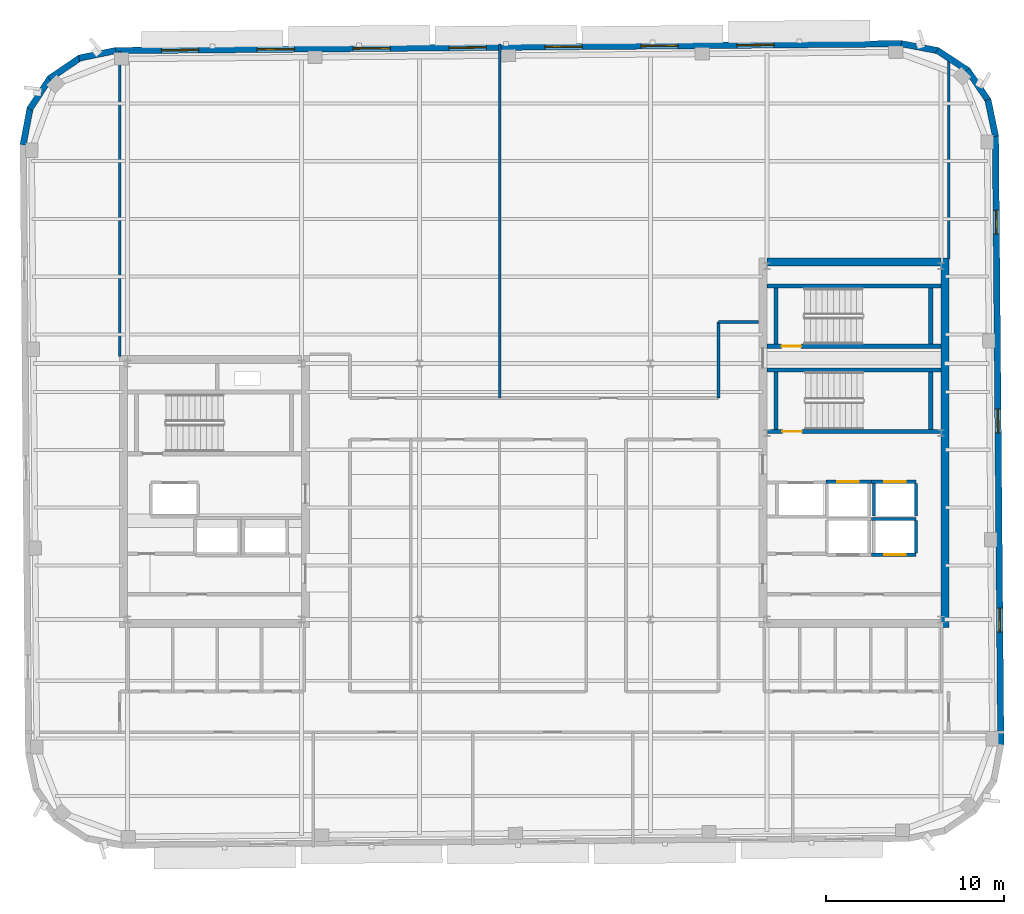
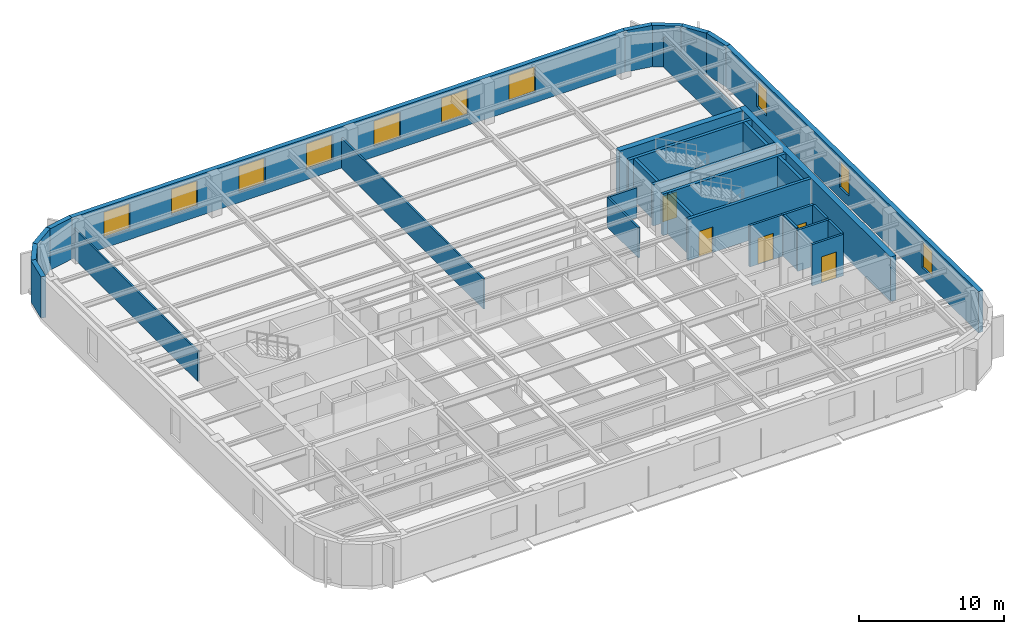
# One storey, part 9 of 15: 32 walls, 10 windows, 5 doors, 15 openings.
"""IFC4 building model written with IfcOpenShell, lengths in metres."""

from ifc_helpers import new_model, si_unit, direction, frame, frame_2d, origin, place, context, subcontext, project, spatial, rectangle, extrude, material, layer, layer_set, type_object, element, fill, save


model = new_model("IFC4")

# Units and contexts
model_context = context("Model", 3, precision=1e-05, world=origin(), true_north=direction((0.0, 1.0)))
body_context = subcontext(model_context, "Body", "Model", "MODEL_VIEW")
ifc_project = project(units=[si_unit("LENGTHUNIT", "METRE"), si_unit("AREAUNIT", "SQUARE_METRE"), si_unit("VOLUMEUNIT", "CUBIC_METRE"), si_unit("PLANEANGLEUNIT", "RADIAN"), si_unit("MASSUNIT", "GRAM", prefix="KILO")], contexts=[model_context])

# Site, building, storey
site_placement = place(None, origin())
site = spatial("IfcSite", under=ifc_project, at=site_placement, CompositionType="ELEMENT")
building_placement = place(site_placement, origin())
building = spatial("IfcBuilding", under=site, at=building_placement, Name="Kolvaren Arena Tower", CompositionType="ELEMENT")
storey_placement = place(building_placement, frame((0.0, 0.0, 282.39990234375)))
storey = spatial("IfcBuildingStorey", under=building, at=storey_placement, Name="L69", CompositionType="ELEMENT", Elevation=282.39990234375)

# Walls
ifc_material_1 = material(Name="Gypsum board acoustic assembly", Category="gypsum")
ifc_layer_1 = layer(ifc_material_1, 0.159912109375)
ifc_layer_set_1 = layer_set([ifc_layer_1], Name="Gypsum board acoustic assembly")
wall_type_1 = type_object("IfcWallType", Name="CORR-160", PredefinedType="PARTITIONING", material=ifc_layer_set_1)
wall_1_placement = place(storey_placement, frame((47.820068359375, 31.919921875, 0.0), z_axis=(0.0, 0.0, 1.0), x_axis=(0.0, 1.0, 0.0)))
element("IfcWall", 1, at=wall_1_placement, inside=storey, type_object=wall_type_1, Name="Interior Partition Wall (L69)", PredefinedType="PARTITIONING", context=body_context, shape_type="SweptSolid", body=[
    extrude(rectangle(XDim=4.280029296875, YDim=0.159912109375, at=frame_2d((2.14013671875, 0.0))), origin(), (0.0, 0.0, 1.0), 2.5400390625),
])
wall_2_placement = place(storey_placement, frame((47.820068359375, 36.199951171875, 0.0), z_axis=(0.0, 0.0, 1.0), x_axis=(1.0, 0.0, 0.0)))
element("IfcWall", 2, at=wall_2_placement, inside=storey, type_object=wall_type_1, Name="Interior Partition Wall (L69)", PredefinedType="PARTITIONING", context=body_context, shape_type="SweptSolid", body=[
    extrude(rectangle(XDim=2.260009765625, YDim=0.159912109375, at=frame_2d((1.1298828125, 0.0))), origin(), (0.0, 0.0, 1.0), 2.5400390625),
])
ifc_material_2 = material(Name="Concrete 55 MPa", Category="concrete")
ifc_layer_2 = layer(ifc_material_2, 0.449951171875)
ifc_layer_set_2 = layer_set([ifc_layer_2], Name="Concrete 55 MPa")
wall_type_2 = type_object("IfcWallType", Name="CWALL-450", PredefinedType="SHEAR", material=ifc_layer_set_2)
wall_3_placement = place(storey_placement, frame((60.574951171875, 19.0, -0.27001953125), z_axis=(0.0, 0.0, 1.0), x_axis=(0.0, 1.0, 0.0)))
element("IfcWall", 3, at=wall_3_placement, inside=storey, type_object=wall_type_2, Name="Core Shear Wall EC-EAST (L69)", PredefinedType="SHEAR", context=body_context, shape_type="SweptSolid", body=[
    extrude(rectangle(XDim=20.800048828125, YDim=0.449951171875, at=frame_2d((10.39990234375, 0.0))), origin(), (0.0, 0.0, 1.0), 3.75),
])
wall_4_placement = place(storey_placement, frame((50.550048828125, 39.574951171875, -0.27001953125), z_axis=(0.0, 0.0, 1.0), x_axis=(1.0, 0.0, 0.0)))
element("IfcWall", 4, at=wall_4_placement, inside=storey, type_object=wall_type_2, Name="Core Shear Wall EC-NORTH (L69)", PredefinedType="SHEAR", context=body_context, shape_type="SweptSolid", body=[
    extrude(rectangle(XDim=9.800048828125, YDim=0.449951171875, at=frame_2d((4.89990234375, 0.0))), origin(), (0.0, 0.0, 1.0), 3.75),
])

# Wall, openings, windows
ifc_material_3 = material(Name="Precast concrete C50/60", Category="concrete")
ifc_layer_3 = layer(ifc_material_3, 0.360107421875)
ifc_layer_set_3 = layer_set([ifc_layer_3], Name="Precast concrete C50/60")
wall_type_3 = type_object("IfcWallType", Name="EXT-PIER2", PredefinedType="SOLIDWALL", material=ifc_layer_set_3)
wall_5_placement = place(storey_placement, frame((63.419189453125, 46.688232421875, 0.0), z_axis=(0.0, 0.0, 1.0), x_axis=(0.008726391715, -0.999961924319, 0.0)))
wall_5 = element("IfcWall", 5, at=wall_5_placement, inside=storey, type_object=wall_type_3, Name="Exterior Precast Masonry-Frame Wall (L69)", PredefinedType="SOLIDWALL", context=body_context, shape_type="SweptSolid", body=[
    extrude(rectangle(XDim=34.300048828125, YDim=0.360107421875, at=frame_2d((17.14990234375, 0.0))), origin(), (0.0, 0.0, 1.0), 3.47998046875),
])
opening_1_placement = place(wall_5_placement, frame((4.199951171875, 0.0, 0.8798828125)))
opening_1 = element("IfcOpeningElement", 6, at=opening_1_placement, cuts=wall_5, Name="Opening W04", PredefinedType="OPENING", context=body_context, shape_type="SweptSolid", body=[
    extrude(rectangle(XDim=1.35009765625, YDim=2.199951171875, at=frame_2d((0.675048828125, 1.10009765625))), frame((0.0, 0.18994140625, 0.0), z_axis=(0.0, -1.0, 0.0), x_axis=(1.0, 0.0, 0.0)), (0.0, 0.0, 1.0), 0.380126953125),
])
opening_2_placement = place(wall_5_placement, frame((15.39990234375, 0.0, 0.8798828125)))
opening_2 = element("IfcOpeningElement", 7, at=opening_2_placement, cuts=wall_5, Name="Opening W04", PredefinedType="OPENING", context=body_context, shape_type="SweptSolid", body=[
    extrude(rectangle(XDim=1.35009765625, YDim=2.199951171875, at=frame_2d((0.675048828125, 1.10009765625))), frame((0.0, 0.18994140625, 0.0), z_axis=(0.0, -1.0, 0.0), x_axis=(1.0, 0.0, 0.0)), (0.0, 0.0, 1.0), 0.380126953125),
])
opening_3_placement = place(wall_5_placement, frame((26.60009765625, 0.0, 0.8798828125)))
opening_3 = element("IfcOpeningElement", 8, at=opening_3_placement, cuts=wall_5, Name="Opening W04", PredefinedType="OPENING", context=body_context, shape_type="SweptSolid", body=[
    extrude(rectangle(XDim=1.35009765625, YDim=2.199951171875, at=frame_2d((0.675048828125, 1.10009765625))), frame((0.0, 0.18994140625, 0.0), z_axis=(0.0, -1.0, 0.0), x_axis=(1.0, 0.0, 0.0)), (0.0, 0.0, 1.0), 0.380126953125),
])
ifc_material_4 = material(Name="Triple-glazed curved-facet corner window", Category="glass")
window_type_1 = type_object("IfcWindowType", Name="WIN-CRN-A", PartitioningType="SINGLE_PANEL", PredefinedType="WINDOW", material=ifc_material_4)
window_1_placement = place(opening_1_placement, origin())
window_1 = element("IfcWindow", 9, at=window_1_placement, inside=storey, type_object=window_type_1, Name="End-Wall Punched Window (L69)", OverallHeight=2.199951171875, OverallWidth=1.35009765625, PartitioningType="SINGLE_PANEL", PredefinedType="WINDOW", context=body_context, shape_type="SweptSolid", body=[
    extrude(rectangle(XDim=1.35009765625, YDim=2.199951171875, at=frame_2d((0.675048828125, 1.10009765625))), frame((0.0, 0.030029296875, 0.0), z_axis=(0.0, -1.0, 0.0), x_axis=(1.0, 0.0, 0.0)), (0.0, 0.0, 1.0), 0.06005859375),
])
fill(opening_1, window_1)
window_2_placement = place(opening_2_placement, origin())
window_2 = element("IfcWindow", 10, at=window_2_placement, inside=storey, type_object=window_type_1, Name="End-Wall Punched Window (L69)", OverallHeight=2.199951171875, OverallWidth=1.35009765625, PartitioningType="SINGLE_PANEL", PredefinedType="WINDOW", context=body_context, shape_type="SweptSolid", body=[
    extrude(rectangle(XDim=1.35009765625, YDim=2.199951171875, at=frame_2d((0.675048828125, 1.10009765625))), frame((0.0, 0.030029296875, 0.0), z_axis=(0.0, -1.0, 0.0), x_axis=(1.0, 0.0, 0.0)), (0.0, 0.0, 1.0), 0.06005859375),
])
fill(opening_2, window_2)
window_3_placement = place(opening_3_placement, origin())
window_3 = element("IfcWindow", 11, at=window_3_placement, inside=storey, type_object=window_type_1, Name="End-Wall Punched Window (L69)", OverallHeight=2.199951171875, OverallWidth=1.35009765625, PartitioningType="SINGLE_PANEL", PredefinedType="WINDOW", context=body_context, shape_type="SweptSolid", body=[
    extrude(rectangle(XDim=1.35009765625, YDim=2.199951171875, at=frame_2d((0.675048828125, 1.10009765625))), frame((0.0, 0.030029296875, 0.0), z_axis=(0.0, -1.0, 0.0), x_axis=(1.0, 0.0, 0.0)), (0.0, 0.0, 1.0), 0.06005859375),
])
fill(opening_3, window_3)

# Walls
for number, where, z_axis, x_axis, name in (
    (12, (62.993896484375, 48.7158203125, 0.0), (0.0, 0.0, 1.0), (0.203709000552, -0.979031482177, 0.0), "Exterior Precast Masonry-Frame Wall (L69)"),
    (13, (61.835693359375, 50.392822265625, 0.0), (0.0, 0.0, 1.0), (0.562829722645, -0.826572866302, 0.0), "Exterior Precast Masonry-Frame Wall (L69)"),
):
    element("IfcWall", number, at=place(storey_placement, frame(where, z_axis=z_axis, x_axis=x_axis)), inside=storey, type_object=wall_type_3, Name=name, PredefinedType="SOLIDWALL", context=body_context, shape_type="SweptSolid", body=[
        extrude(rectangle(XDim=2.10693359375, YDim=0.360107421875, at=frame_2d((1.053466796875, 0.0))), origin(), (0.0, 0.0, 1.0), 3.47998046875),
    ])
for number, where, z_axis, x_axis, name in (
    (14, (60.123779296875, 51.498779296875, 0.0), (0.0, 0.0, 1.0), (0.83632188969, -0.548238722478, 0.0), "Exterior Precast Masonry-Frame Wall (L69)"),
    (15, (58.118896484375, 51.865478515625, 0.0), (0.0, 0.0, 1.0), (0.982463107022, -0.186457081764, 0.0), "Exterior Precast Masonry-Frame Wall (L69)"),
):
    element("IfcWall", number, at=place(storey_placement, frame(where, z_axis=z_axis, x_axis=x_axis)), inside=storey, type_object=wall_type_3, Name=name, PredefinedType="SOLIDWALL", context=body_context, shape_type="SweptSolid", body=[
        extrude(rectangle(XDim=2.106689453125, YDim=0.360107421875, at=frame_2d((1.05322265625, 0.0))), origin(), (0.0, 0.0, 1.0), 3.47998046875),
    ])

# Wall, openings, windows
wall_6_placement = place(storey_placement, frame((13.855712890625, 51.475830078125, 0.0), z_axis=(0.0, 0.0, 1.0), x_axis=(0.999961944954, 0.008724026757, 0.0)))
wall_6 = element("IfcWall", 16, at=wall_6_placement, inside=storey, type_object=wall_type_3, Name="Exterior Precast Masonry-Frame Wall (L69)", PredefinedType="SOLIDWALL", context=body_context, shape_type="SweptSolid", body=[
    extrude(rectangle(XDim=44.300048828125, YDim=0.360107421875, at=frame_2d((22.14990234375, 0.0))), origin(), (0.0, 0.0, 1.0), 3.47998046875),
])
opening_4_placement = place(wall_6_placement, frame((2.60009765625, 0.0, 0.8798828125)))
opening_4 = element("IfcOpeningElement", 17, at=opening_4_placement, cuts=wall_6, Name="Opening W01", PredefinedType="OPENING", context=body_context, shape_type="SweptSolid", body=[
    extrude(rectangle(XDim=2.10009765625, YDim=2.14990234375, at=frame_2d((1.050048828125, 1.074951171875))), frame((0.0, 0.18994140625, 0.0), z_axis=(0.0, -1.0, 0.0), x_axis=(1.0, 0.0, 0.0)), (0.0, 0.0, 1.0), 0.380126953125),
])
opening_5_placement = place(wall_6_placement, frame((8.0, 0.0, 0.8798828125)))
opening_5 = element("IfcOpeningElement", 18, at=opening_5_placement, cuts=wall_6, Name="Opening W01", PredefinedType="OPENING", context=body_context, shape_type="SweptSolid", body=[
    extrude(rectangle(XDim=2.10009765625, YDim=2.14990234375, at=frame_2d((1.050048828125, 1.074951171875))), frame((0.0, 0.18994140625, 0.0), z_axis=(0.0, -1.0, 0.0), x_axis=(1.0, 0.0, 0.0)), (0.0, 0.0, 1.0), 0.380126953125),
])
opening_6_placement = place(wall_6_placement, frame((13.39990234375, 0.0, 0.8798828125)))
opening_6 = element("IfcOpeningElement", 19, at=opening_6_placement, cuts=wall_6, Name="Opening W01", PredefinedType="OPENING", context=body_context, shape_type="SweptSolid", body=[
    extrude(rectangle(XDim=2.10009765625, YDim=2.14990234375, at=frame_2d((1.050048828125, 1.074951171875))), frame((0.0, 0.18994140625, 0.0), z_axis=(0.0, -1.0, 0.0), x_axis=(1.0, 0.0, 0.0)), (0.0, 0.0, 1.0), 0.380126953125),
])
opening_7_placement = place(wall_6_placement, frame((18.800048828125, 0.0, 0.8798828125)))
opening_7 = element("IfcOpeningElement", 20, at=opening_7_placement, cuts=wall_6, Name="Opening W01", PredefinedType="OPENING", context=body_context, shape_type="SweptSolid", body=[
    extrude(rectangle(XDim=2.10009765625, YDim=2.14990234375, at=frame_2d((1.050048828125, 1.074951171875))), frame((0.0, 0.18994140625, 0.0), z_axis=(0.0, -1.0, 0.0), x_axis=(1.0, 0.0, 0.0)), (0.0, 0.0, 1.0), 0.380126953125),
])
opening_8_placement = place(wall_6_placement, frame((24.199951171875, 0.0, 0.8798828125)))
opening_8 = element("IfcOpeningElement", 21, at=opening_8_placement, cuts=wall_6, Name="Opening W01", PredefinedType="OPENING", context=body_context, shape_type="SweptSolid", body=[
    extrude(rectangle(XDim=2.10009765625, YDim=2.14990234375, at=frame_2d((1.050048828125, 1.074951171875))), frame((0.0, 0.18994140625, 0.0), z_axis=(0.0, -1.0, 0.0), x_axis=(1.0, 0.0, 0.0)), (0.0, 0.0, 1.0), 0.380126953125),
])
opening_9_placement = place(wall_6_placement, frame((29.60009765625, 0.0, 0.8798828125)))
opening_9 = element("IfcOpeningElement", 22, at=opening_9_placement, cuts=wall_6, Name="Opening W01", PredefinedType="OPENING", context=body_context, shape_type="SweptSolid", body=[
    extrude(rectangle(XDim=2.10009765625, YDim=2.14990234375, at=frame_2d((1.050048828125, 1.074951171875))), frame((0.0, 0.18994140625, 0.0), z_axis=(0.0, -1.0, 0.0), x_axis=(1.0, 0.0, 0.0)), (0.0, 0.0, 1.0), 0.380126953125),
])
opening_10_placement = place(wall_6_placement, frame((35.0, 0.0, 0.8798828125)))
opening_10 = element("IfcOpeningElement", 23, at=opening_10_placement, cuts=wall_6, Name="Opening W01", PredefinedType="OPENING", context=body_context, shape_type="SweptSolid", body=[
    extrude(rectangle(XDim=2.10009765625, YDim=2.14990234375, at=frame_2d((1.050048828125, 1.074951171875))), frame((0.0, 0.18994140625, 0.0), z_axis=(0.0, -1.0, 0.0), x_axis=(1.0, 0.0, 0.0)), (0.0, 0.0, 1.0), 0.380126953125),
])
ifc_material_5 = material(Name="Triple-glazed low-E aluminium window", Category="aluminium")
window_type_2 = type_object("IfcWindowType", Name="WIN-OFF-A", PartitioningType="DOUBLE_PANEL_VERTICAL", PredefinedType="WINDOW", material=ifc_material_5)
window_4_placement = place(opening_4_placement, origin())
window_4 = element("IfcWindow", 24, at=window_4_placement, inside=storey, type_object=window_type_2, Name="Punched Precast-Pier Window (L69)", OverallHeight=2.14990234375, OverallWidth=2.10009765625, PartitioningType="DOUBLE_PANEL_VERTICAL", PredefinedType="WINDOW", context=body_context, shape_type="SweptSolid", body=[
    extrude(rectangle(XDim=2.10009765625, YDim=2.14990234375, at=frame_2d((1.050048828125, 1.074951171875))), frame((0.0, 0.030029296875, 0.0), z_axis=(0.0, -1.0, 0.0), x_axis=(1.0, 0.0, 0.0)), (0.0, 0.0, 1.0), 0.06005859375),
])
fill(opening_4, window_4)
window_5_placement = place(opening_5_placement, origin())
window_5 = element("IfcWindow", 25, at=window_5_placement, inside=storey, type_object=window_type_2, Name="Punched Precast-Pier Window (L69)", OverallHeight=2.14990234375, OverallWidth=2.10009765625, PartitioningType="DOUBLE_PANEL_VERTICAL", PredefinedType="WINDOW", context=body_context, shape_type="SweptSolid", body=[
    extrude(rectangle(XDim=2.10009765625, YDim=2.14990234375, at=frame_2d((1.050048828125, 1.074951171875))), frame((0.0, 0.030029296875, 0.0), z_axis=(0.0, -1.0, 0.0), x_axis=(1.0, 0.0, 0.0)), (0.0, 0.0, 1.0), 0.06005859375),
])
fill(opening_5, window_5)
window_6_placement = place(opening_6_placement, origin())
window_6 = element("IfcWindow", 26, at=window_6_placement, inside=storey, type_object=window_type_2, Name="Punched Precast-Pier Window (L69)", OverallHeight=2.14990234375, OverallWidth=2.10009765625, PartitioningType="DOUBLE_PANEL_VERTICAL", PredefinedType="WINDOW", context=body_context, shape_type="SweptSolid", body=[
    extrude(rectangle(XDim=2.10009765625, YDim=2.14990234375, at=frame_2d((1.050048828125, 1.074951171875))), frame((0.0, 0.030029296875, 0.0), z_axis=(0.0, -1.0, 0.0), x_axis=(1.0, 0.0, 0.0)), (0.0, 0.0, 1.0), 0.06005859375),
])
fill(opening_6, window_6)
window_7_placement = place(opening_7_placement, origin())
window_7 = element("IfcWindow", 27, at=window_7_placement, inside=storey, type_object=window_type_2, Name="Punched Precast-Pier Window (L69)", OverallHeight=2.14990234375, OverallWidth=2.10009765625, PartitioningType="DOUBLE_PANEL_VERTICAL", PredefinedType="WINDOW", context=body_context, shape_type="SweptSolid", body=[
    extrude(rectangle(XDim=2.10009765625, YDim=2.14990234375, at=frame_2d((1.050048828125, 1.074951171875))), frame((0.0, 0.030029296875, 0.0), z_axis=(0.0, -1.0, 0.0), x_axis=(1.0, 0.0, 0.0)), (0.0, 0.0, 1.0), 0.06005859375),
])
fill(opening_7, window_7)
window_8_placement = place(opening_8_placement, origin())
window_8 = element("IfcWindow", 28, at=window_8_placement, inside=storey, type_object=window_type_2, Name="Punched Precast-Pier Window (L69)", OverallHeight=2.14990234375, OverallWidth=2.10009765625, PartitioningType="DOUBLE_PANEL_VERTICAL", PredefinedType="WINDOW", context=body_context, shape_type="SweptSolid", body=[
    extrude(rectangle(XDim=2.10009765625, YDim=2.14990234375, at=frame_2d((1.050048828125, 1.074951171875))), frame((0.0, 0.030029296875, 0.0), z_axis=(0.0, -1.0, 0.0), x_axis=(1.0, 0.0, 0.0)), (0.0, 0.0, 1.0), 0.06005859375),
])
fill(opening_8, window_8)
window_9_placement = place(opening_9_placement, origin())
window_9 = element("IfcWindow", 29, at=window_9_placement, inside=storey, type_object=window_type_2, Name="Punched Precast-Pier Window (L69)", OverallHeight=2.14990234375, OverallWidth=2.10009765625, PartitioningType="DOUBLE_PANEL_VERTICAL", PredefinedType="WINDOW", context=body_context, shape_type="SweptSolid", body=[
    extrude(rectangle(XDim=2.10009765625, YDim=2.14990234375, at=frame_2d((1.050048828125, 1.074951171875))), frame((0.0, 0.030029296875, 0.0), z_axis=(0.0, -1.0, 0.0), x_axis=(1.0, 0.0, 0.0)), (0.0, 0.0, 1.0), 0.06005859375),
])
fill(opening_9, window_9)
window_10_placement = place(opening_10_placement, origin())
window_10 = element("IfcWindow", 30, at=window_10_placement, inside=storey, type_object=window_type_2, Name="Punched Precast-Pier Window (L69)", OverallHeight=2.14990234375, OverallWidth=2.10009765625, PartitioningType="DOUBLE_PANEL_VERTICAL", PredefinedType="WINDOW", context=body_context, shape_type="SweptSolid", body=[
    extrude(rectangle(XDim=2.10009765625, YDim=2.14990234375, at=frame_2d((1.050048828125, 1.074951171875))), frame((0.0, 0.030029296875, 0.0), z_axis=(0.0, -1.0, 0.0), x_axis=(1.0, 0.0, 0.0)), (0.0, 0.0, 1.0), 0.06005859375),
])
fill(opening_10, window_10)

# Walls
for number, where, z_axis, x_axis, name in (
    (31, (11.827880859375, 51.050537109375, 0.0), (0.0, 0.0, 1.0), (0.97905458633, 0.203597929717, 0.0), "Exterior Precast Masonry-Frame Wall (L69)"),
    (32, (10.15087890625, 49.89208984375, 0.0), (0.0, 0.0, 1.0), (0.826609569219, 0.56277581689, 0.0), "Exterior Precast Masonry-Frame Wall (L69)"),
):
    element("IfcWall", number, at=place(storey_placement, frame(where, z_axis=z_axis, x_axis=x_axis)), inside=storey, type_object=wall_type_3, Name=name, PredefinedType="SOLIDWALL", context=body_context, shape_type="SweptSolid", body=[
        extrude(rectangle(XDim=2.10693359375, YDim=0.360107421875, at=frame_2d((1.053466796875, 0.0))), origin(), (0.0, 0.0, 1.0), 3.47998046875),
    ])
for number, where, z_axis, x_axis, name in (
    (33, (9.044921875, 48.18017578125, 0.0), (0.0, 0.0, 1.0), (0.548266637224, 0.836303589916, 0.0), "Exterior Precast Masonry-Frame Wall (L69)"),
    (34, (8.67822265625, 46.17529296875, 0.0), (0.0, 0.0, 1.0), (0.186547695246, 0.982445905584, 0.0), "Exterior Precast Masonry-Frame Wall (L69)"),
):
    element("IfcWall", number, at=place(storey_placement, frame(where, z_axis=z_axis, x_axis=x_axis)), inside=storey, type_object=wall_type_3, Name=name, PredefinedType="SOLIDWALL", context=body_context, shape_type="SweptSolid", body=[
        extrude(rectangle(XDim=2.107177734375, YDim=0.360107421875, at=frame_2d((1.0537109375, 0.0))), origin(), (0.0, 0.0, 1.0), 3.47998046875),
    ])
ifc_material_6 = material(Name="Gypsum board partition assembly", Category="gypsum")
ifc_layer_4 = layer(ifc_material_6, 0.135009765625)
ifc_layer_set_4 = layer_set([ifc_layer_4], Name="Gypsum board partition assembly")
wall_type_4 = type_object("IfcWallType", Name="PART-135", PredefinedType="PARTITIONING", material=ifc_layer_set_4)
wall_7_placement = place(storey_placement, frame((35.5, 31.919921875, 0.0), z_axis=(0.0, 0.0, 1.0), x_axis=(0.0, 1.0, 0.0)))
element("IfcWall", 35, at=wall_7_placement, inside=storey, type_object=wall_type_4, Name="Interior Partition Wall (L69)", PredefinedType="PARTITIONING", context=body_context, shape_type="SweptSolid", body=[
    extrude(rectangle(XDim=19.9248046875, YDim=0.135009765625, at=frame_2d((9.96240234375, 0.0))), origin(), (0.0, 0.0, 1.0), 2.5400390625),
])
wall_8_placement = place(storey_placement, frame((14.1201171875, 34.25, 0.0), z_axis=(0.0, 0.0, 1.0), x_axis=(0.0, 1.0, 0.0)))
element("IfcWall", 36, at=wall_8_placement, inside=storey, type_object=wall_type_4, Name="Interior Partition Wall (L69)", PredefinedType="PARTITIONING", context=body_context, shape_type="SweptSolid", body=[
    extrude(rectangle(XDim=17.168212890625, YDim=0.135009765625, at=frame_2d((8.583984375, 0.0))), origin(), (0.0, 0.0, 1.0), 2.5400390625),
])
wall_9_placement = place(storey_placement, frame((60.780029296875, 39.75, 0.0), z_axis=(0.0, 0.0, 1.0), x_axis=(0.0, 1.0, 0.0)))
element("IfcWall", 37, at=wall_9_placement, inside=storey, type_object=wall_type_4, Name="Interior Partition Wall (L69)", PredefinedType="PARTITIONING", context=body_context, shape_type="SweptSolid", body=[
    extrude(rectangle(XDim=11.246826171875, YDim=0.135009765625, at=frame_2d((5.62353515625, 0.0))), origin(), (0.0, 0.0, 1.0), 2.5400390625),
])

# Wall, opening, door
ifc_material_7 = material(Name="Concrete 45 MPa", Category="concrete")
ifc_layer_5 = layer(ifc_material_7, 0.25)
ifc_layer_set_5 = layer_set([ifc_layer_5], Name="Concrete 45 MPa")
wall_type_5 = type_object("IfcWallType", Name="SHAFT-250", PredefinedType="SOLIDWALL", material=ifc_layer_set_5)
wall_10_placement = place(storey_placement, frame((60.35009765625, 30.030029296875, 0.0), z_axis=(0.0, 0.0, 1.0), x_axis=(-1.0, 0.0, 0.0)))
wall_10 = element("IfcWall", 38, at=wall_10_placement, inside=storey, type_object=wall_type_5, Name="Core Shaft Wall (L69)", PredefinedType="SOLIDWALL", context=body_context, shape_type="SweptSolid", body=[
    extrude(rectangle(XDim=9.800048828125, YDim=0.239990234375, at=frame_2d((4.89990234375, 0.0))), origin(), (0.0, 0.0, 1.0), 3.47998046875),
])
opening_11_placement = place(wall_10_placement, frame((7.830078125, 0.0, 0.0)))
opening_11 = element("IfcOpeningElement", 39, at=opening_11_placement, cuts=wall_10, Name="Opening D03", PredefinedType="OPENING", context=body_context, shape_type="SweptSolid", body=[
    extrude(rectangle(XDim=1.10009765625, YDim=2.14990234375, at=frame_2d((0.550048828125, 1.074951171875))), frame((0.0, 0.1298828125, 0.0), z_axis=(0.0, -1.0, 0.0), x_axis=(1.0, 0.0, 0.0)), (0.0, 0.0, 1.0), 0.260009765625),
])
ifc_material_8 = material(Name="Fire-rated steel exit stair door", Category="steel")
door_type_1 = type_object("IfcDoorType", Name="DOOR-ST-110", OperationType="NOTDEFINED", PredefinedType="DOOR", material=ifc_material_8)
door_1_placement = place(opening_11_placement, origin())
door_1 = element("IfcDoor", 40, at=door_1_placement, inside=storey, type_object=door_type_1, Name="Stair ST-E1 Fire Door (L69)", OperationType="SINGLE_SWING_LEFT", OverallHeight=2.14990234375, OverallWidth=1.10009765625, PredefinedType="DOOR", context=body_context, shape_type="SweptSolid", body=[
    extrude(rectangle(XDim=1.10009765625, YDim=2.14990234375, at=frame_2d((0.550048828125, 1.074951171875))), frame((0.0, 0.02490234375, 0.0), z_axis=(0.0, -1.0, 0.0), x_axis=(1.0, 0.0, 0.0)), (0.0, 0.0, 1.0), 0.050048828125),
])
fill(opening_11, door_1)

# Walls
wall_11_placement = place(storey_placement, frame((50.550048828125, 33.5, 0.0), z_axis=(0.0, 0.0, 1.0), x_axis=(1.0, 0.0, 0.0)))
element("IfcWall", 41, at=wall_11_placement, inside=storey, type_object=wall_type_5, Name="Core Shaft Wall (L69)", PredefinedType="SOLIDWALL", context=body_context, shape_type="SweptSolid", body=[
    extrude(rectangle(XDim=9.800048828125, YDim=0.239990234375, at=frame_2d((4.89990234375, 0.0))), origin(), (0.0, 0.0, 1.0), 3.47998046875),
])
for number, where, z_axis, x_axis, name in (
    (42, (51.06005859375, 30.14990234375, 0.0), (0.0, 0.0, 1.0), (0.0, 1.0, 0.0), "Core Shaft Wall (L69)"),
    (43, (59.780029296875, 30.14990234375, 0.0), (0.0, 0.0, 1.0), (0.0, 1.0, 0.0), "Core Shaft Wall (L69)"),
):
    element("IfcWall", number, at=place(storey_placement, frame(where, z_axis=z_axis, x_axis=x_axis)), inside=storey, type_object=wall_type_5, Name=name, PredefinedType="SOLIDWALL", context=body_context, shape_type="SweptSolid", body=[
        extrude(rectangle(XDim=3.22998046875, YDim=0.239990234375, at=frame_2d((1.614990234375, 0.0))), origin(), (0.0, 0.0, 1.0), 3.47998046875),
    ])

# Wall, opening, door
wall_12_placement = place(storey_placement, frame((60.35009765625, 34.830078125, 0.0), z_axis=(0.0, 0.0, 1.0), x_axis=(-1.0, 0.0, 0.0)))
wall_12 = element("IfcWall", 44, at=wall_12_placement, inside=storey, type_object=wall_type_5, Name="Core Shaft Wall (L69)", PredefinedType="SOLIDWALL", context=body_context, shape_type="SweptSolid", body=[
    extrude(rectangle(XDim=9.800048828125, YDim=0.239990234375, at=frame_2d((4.89990234375, 0.0))), origin(), (0.0, 0.0, 1.0), 3.47998046875),
])
opening_12_placement = place(wall_12_placement, frame((7.8701171875, 0.0, 0.0)))
opening_12 = element("IfcOpeningElement", 45, at=opening_12_placement, cuts=wall_12, Name="Opening D03", PredefinedType="OPENING", context=body_context, shape_type="SweptSolid", body=[
    extrude(rectangle(XDim=1.10009765625, YDim=2.14990234375, at=frame_2d((0.550048828125, 1.074951171875))), frame((0.0, 0.1298828125, 0.0), z_axis=(0.0, -1.0, 0.0), x_axis=(1.0, 0.0, 0.0)), (0.0, 0.0, 1.0), 0.260009765625),
])
door_2_placement = place(opening_12_placement, origin())
door_2 = element("IfcDoor", 46, at=door_2_placement, inside=storey, type_object=door_type_1, Name="Stair ST-E2 Fire Door (L69)", OperationType="SINGLE_SWING_LEFT", OverallHeight=2.14990234375, OverallWidth=1.10009765625, PredefinedType="DOOR", context=body_context, shape_type="SweptSolid", body=[
    extrude(rectangle(XDim=1.10009765625, YDim=2.14990234375, at=frame_2d((0.550048828125, 1.074951171875))), frame((0.0, 0.02490234375, 0.0), z_axis=(0.0, -1.0, 0.0), x_axis=(1.0, 0.0, 0.0)), (0.0, 0.0, 1.0), 0.050048828125),
])
fill(opening_12, door_2)

# Walls
wall_13_placement = place(storey_placement, frame((50.550048828125, 38.219970703125, 0.0), z_axis=(0.0, 0.0, 1.0), x_axis=(1.0, 0.0, 0.0)))
element("IfcWall", 47, at=wall_13_placement, inside=storey, type_object=wall_type_5, Name="Core Shaft Wall (L69)", PredefinedType="SOLIDWALL", context=body_context, shape_type="SweptSolid", body=[
    extrude(rectangle(XDim=9.800048828125, YDim=0.239990234375, at=frame_2d((4.89990234375, 0.0))), origin(), (0.0, 0.0, 1.0), 3.47998046875),
])
for number, where, z_axis, x_axis, name in (
    (48, (51.06005859375, 34.949951171875, 0.0), (0.0, 0.0, 1.0), (0.0, 1.0, 0.0), "Core Shaft Wall (L69)"),
    (49, (59.780029296875, 34.949951171875, 0.0), (0.0, 0.0, 1.0), (0.0, 1.0, 0.0), "Core Shaft Wall (L69)"),
):
    element("IfcWall", number, at=place(storey_placement, frame(where, z_axis=z_axis, x_axis=x_axis)), inside=storey, type_object=wall_type_5, Name=name, PredefinedType="SOLIDWALL", context=body_context, shape_type="SweptSolid", body=[
        extrude(rectangle(XDim=3.150146484375, YDim=0.239990234375, at=frame_2d((1.5751953125, 0.0))), origin(), (0.0, 0.0, 1.0), 3.47998046875),
    ])
wall_14_placement = place(storey_placement, frame((56.43994140625, 25.10498046875, 0.0), z_axis=(0.0, 0.0, 1.0), x_axis=(1.0, 0.0, 0.0)))
element("IfcWall", 50, at=wall_14_placement, inside=storey, type_object=wall_type_5, Name="Core Shaft Wall (L69)", PredefinedType="SOLIDWALL", context=body_context, shape_type="SweptSolid", body=[
    extrude(rectangle(XDim=2.5, YDim=0.179931640625, at=frame_2d((1.25, 0.0))), origin(), (0.0, 0.0, 1.0), 3.47998046875),
])

# Wall, opening, door
wall_15_placement = place(storey_placement, frame((56.43994140625, 23.094970703125, 0.0), z_axis=(0.0, 0.0, 1.0), x_axis=(1.0, 0.0, 0.0)))
wall_15 = element("IfcWall", 51, at=wall_15_placement, inside=storey, type_object=wall_type_5, Name="Core Shaft Wall (L69)", PredefinedType="SOLIDWALL", context=body_context, shape_type="SweptSolid", body=[
    extrude(rectangle(XDim=2.5, YDim=0.179931640625, at=frame_2d((1.25, 0.0))), origin(), (0.0, 0.0, 1.0), 3.47998046875),
])
opening_13_placement = place(wall_15_placement, frame((0.719970703125, 0.0, 0.0)))
opening_13 = element("IfcOpeningElement", 52, at=opening_13_placement, cuts=wall_15, Name="Opening LD1", PredefinedType="OPENING", context=body_context, shape_type="SweptSolid", body=[
    extrude(rectangle(XDim=1.199951171875, YDim=2.199951171875, at=frame_2d((0.60009765625, 1.10009765625))), frame((0.0, 0.099853515625, 0.0), z_axis=(0.0, -1.0, 0.0), x_axis=(1.0, 0.0, 0.0)), (0.0, 0.0, 1.0), 0.199951171875),
])
ifc_material_9 = material(Name="Stainless steel passenger lift landing door", Category="steel")
door_type_2 = type_object("IfcDoorType", Name="DOOR-LD-120", OperationType="DOUBLE_DOOR_SLIDING", PredefinedType="DOOR", material=ifc_material_9)
door_3_placement = place(opening_13_placement, origin())
door_3 = element("IfcDoor", 53, at=door_3_placement, inside=storey, type_object=door_type_2, Name="Lift EL-HR2 Landing Door (L69)", OperationType="DOUBLE_DOOR_SLIDING", OverallHeight=2.199951171875, OverallWidth=1.199951171875, PredefinedType="DOOR", context=body_context, shape_type="SweptSolid", body=[
    extrude(rectangle(XDim=1.199951171875, YDim=2.199951171875, at=frame_2d((0.60009765625, 1.10009765625))), frame((0.0, 0.02490234375, 0.0), z_axis=(0.0, -1.0, 0.0), x_axis=(1.0, 0.0, 0.0)), (0.0, 0.0, 1.0), 0.050048828125),
])
fill(opening_13, door_3)

# Wall
wall_16_placement = place(storey_placement, frame((58.93994140625, 23.18505859375, 0.0), z_axis=(0.0, 0.0, 1.0), x_axis=(0.0, 1.0, 0.0)))
element("IfcWall", 54, at=wall_16_placement, inside=storey, type_object=wall_type_5, Name="Core Shaft Wall (L69)", PredefinedType="SOLIDWALL", context=body_context, shape_type="SweptSolid", body=[
    extrude(rectangle(XDim=1.829833984375, YDim=0.179931640625, at=frame_2d((0.9150390625, 0.0))), origin(), (0.0, 0.0, 1.0), 3.47998046875),
])

# Wall, opening, door
wall_17_placement = place(storey_placement, frame((53.864990234375, 27.205078125, 0.0), z_axis=(0.0, 0.0, 1.0), x_axis=(1.0, 0.0, 0.0)))
wall_17 = element("IfcWall", 55, at=wall_17_placement, inside=storey, type_object=wall_type_5, Name="Core Shaft Wall (L69)", PredefinedType="SOLIDWALL", context=body_context, shape_type="SweptSolid", body=[
    extrude(rectangle(XDim=2.574951171875, YDim=0.179931640625, at=frame_2d((1.28759765625, 0.0))), origin(), (0.0, 0.0, 1.0), 3.47998046875),
])
opening_14_placement = place(wall_17_placement, frame((0.655029296875, 0.0, 0.0)))
opening_14 = element("IfcOpeningElement", 56, at=opening_14_placement, cuts=wall_17, Name="Opening LD1", PredefinedType="OPENING", context=body_context, shape_type="SweptSolid", body=[
    extrude(rectangle(XDim=1.199951171875, YDim=2.199951171875, at=frame_2d((0.60009765625, 1.10009765625))), frame((0.0, 0.099853515625, 0.0), z_axis=(0.0, -1.0, 0.0), x_axis=(1.0, 0.0, 0.0)), (0.0, 0.0, 1.0), 0.199951171875),
])
door_4_placement = place(opening_14_placement, origin())
door_4 = element("IfcDoor", 57, at=door_4_placement, inside=storey, type_object=door_type_2, Name="Lift EL-HR3 Landing Door (L69)", OperationType="DOUBLE_DOOR_SLIDING", OverallHeight=2.199951171875, OverallWidth=1.199951171875, PredefinedType="DOOR", context=body_context, shape_type="SweptSolid", body=[
    extrude(rectangle(XDim=1.199951171875, YDim=2.199951171875, at=frame_2d((0.60009765625, 1.10009765625))), frame((0.0, 0.02490234375, 0.0), z_axis=(0.0, -1.0, 0.0), x_axis=(1.0, 0.0, 0.0)), (0.0, 0.0, 1.0), 0.050048828125),
])
fill(opening_14, door_4)

wall_18_placement = place(storey_placement, frame((56.43994140625, 27.205078125, 0.0), z_axis=(0.0, 0.0, 1.0), x_axis=(1.0, 0.0, 0.0)))
wall_18 = element("IfcWall", 58, at=wall_18_placement, inside=storey, type_object=wall_type_5, Name="Core Shaft Wall (L69)", PredefinedType="SOLIDWALL", context=body_context, shape_type="SweptSolid", body=[
    extrude(rectangle(XDim=2.5, YDim=0.179931640625, at=frame_2d((1.25, 0.0))), origin(), (0.0, 0.0, 1.0), 3.47998046875),
])
opening_15_placement = place(wall_18_placement, frame((0.719970703125, 0.0, 0.0)))
opening_15 = element("IfcOpeningElement", 59, at=opening_15_placement, cuts=wall_18, Name="Opening LD1", PredefinedType="OPENING", context=body_context, shape_type="SweptSolid", body=[
    extrude(rectangle(XDim=1.199951171875, YDim=2.199951171875, at=frame_2d((0.60009765625, 1.10009765625))), frame((0.0, 0.099853515625, 0.0), z_axis=(0.0, -1.0, 0.0), x_axis=(1.0, 0.0, 0.0)), (0.0, 0.0, 1.0), 0.199951171875),
])
door_5_placement = place(opening_15_placement, origin())
door_5 = element("IfcDoor", 60, at=door_5_placement, inside=storey, type_object=door_type_2, Name="Lift EL-HR4 Landing Door (L69)", OperationType="DOUBLE_DOOR_SLIDING", OverallHeight=2.199951171875, OverallWidth=1.199951171875, PredefinedType="DOOR", context=body_context, shape_type="SweptSolid", body=[
    extrude(rectangle(XDim=1.199951171875, YDim=2.199951171875, at=frame_2d((0.60009765625, 1.10009765625))), frame((0.0, 0.02490234375, 0.0), z_axis=(0.0, -1.0, 0.0), x_axis=(1.0, 0.0, 0.0)), (0.0, 0.0, 1.0), 0.050048828125),
])
fill(opening_15, door_5)

# Walls
for number, where, z_axis, x_axis, name in (
    (61, (56.580078125, 25.284912109375, 0.0), (0.0, 0.0, 1.0), (0.0, 1.0, 0.0), "Core Shaft Wall (L69)"),
    (62, (58.93994140625, 25.284912109375, 0.0), (0.0, 0.0, 1.0), (0.0, 1.0, 0.0), "Core Shaft Wall (L69)"),
):
    element("IfcWall", number, at=place(storey_placement, frame(where, z_axis=z_axis, x_axis=x_axis)), inside=storey, type_object=wall_type_5, Name=name, PredefinedType="SOLIDWALL", context=body_context, shape_type="SweptSolid", body=[
        extrude(rectangle(XDim=1.830078125, YDim=0.179931640625, at=frame_2d((0.9150390625, 0.0))), origin(), (0.0, 0.0, 1.0), 3.47998046875),
    ])

save(model, "model.ifc")
